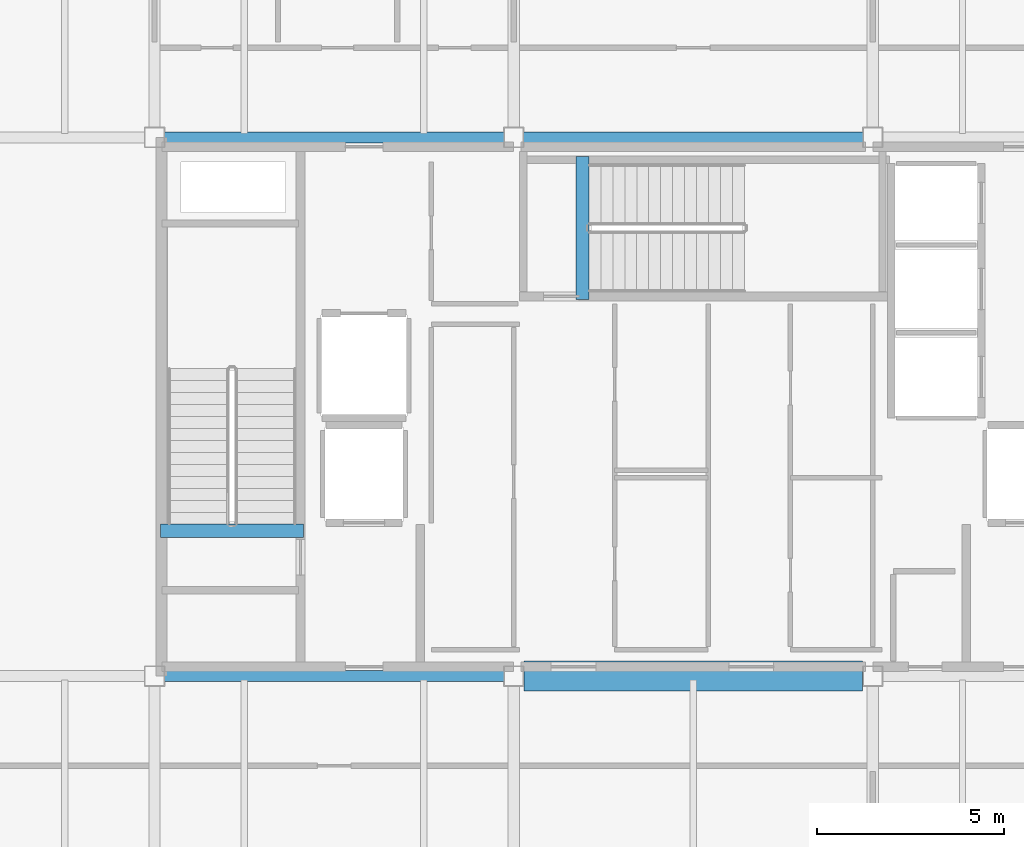
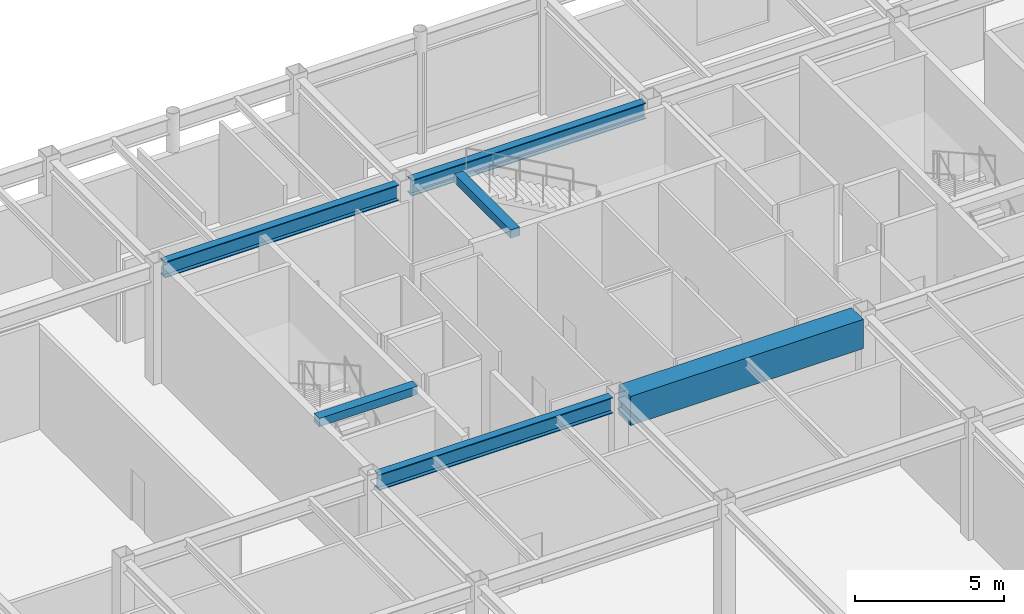
# One storey, part 8 of 21: 6 beams.
"""IFC4 building model written with IfcOpenShell, lengths in metres."""

from ifc_helpers import new_model, si_unit, direction, frame, origin, origin_2d, place, context, subcontext, project, spatial, rectangle, i_section, extrude, material, material_profile, profile_set, type_object, element, save


model = new_model("IFC4")

# Units and contexts
model_context = context("Model", 3, precision=1e-05, world=origin(), true_north=direction((0.0, 1.0)))
body_context = subcontext(model_context, "Body", "Model", "MODEL_VIEW")
ifc_project = project(units=[si_unit("LENGTHUNIT", "METRE"), si_unit("AREAUNIT", "SQUARE_METRE"), si_unit("VOLUMEUNIT", "CUBIC_METRE"), si_unit("PLANEANGLEUNIT", "RADIAN"), si_unit("MASSUNIT", "GRAM", prefix="KILO")], contexts=[model_context])

# Site, building, storey
site_placement = place(None, origin())
site = spatial("IfcSite", under=ifc_project, at=site_placement, CompositionType="ELEMENT")
building_placement = place(site_placement, origin())
building = spatial("IfcBuilding", under=site, at=building_placement, Name="Kallvorn Hotel Tower", CompositionType="ELEMENT")
storey_placement = place(building_placement, frame((0.0, 0.0, 295.60009765625)))
storey = spatial("IfcBuildingStorey", under=building, at=storey_placement, Name="L73", CompositionType="ELEMENT", Elevation=295.60009765625)

# Beams
ifc_material_1 = material(Name="Structural steel S355JR", Category="steel")
ifc_material_profile_1 = material_profile(ifc_material_1, i_section(OverallWidth=0.300048828125, OverallDepth=0.64990234375, WebThickness=0.01611328125, FlangeThickness=0.031005859375, at=origin_2d()), Name="HE 650 B")
ifc_profile_set_1 = profile_set([ifc_material_profile_1], Name="Structural steel S355JR")
beam_type_1 = type_object("IfcBeamType", Name="BM_HE650B", PredefinedType="BEAM", material=ifc_profile_set_1)
for number, where, z_axis, x_axis, name in (
    (1, (-14.14990234375, -7.199951171875, 4.474853515625), (1.0, 0.0, 0.0), (0.0, 1.0, 0.0), "L74 Primary X-Girder 08"),
    (2, (-14.14990234375, 7.199951171875, 4.474853515625), (1.0, 0.0, 0.0), (0.0, 1.0, 0.0), "L74 Primary X-Girder 12"),
):
    element("IfcBeam", number, at=place(storey_placement, frame(where, z_axis=z_axis, x_axis=x_axis)), inside=storey, type_object=beam_type_1, Name=name, PredefinedType="BEAM", context=body_context, shape_type="SweptSolid", body=[
        extrude(i_section(OverallWidth=0.300048828125, OverallDepth=0.64990234375, WebThickness=0.01611328125, FlangeThickness=0.031005859375, at=origin_2d()), origin(), (0.0, 0.0, 1.0), 9.099853515625),
    ])
beam_1_placement = place(storey_placement, frame((-4.550048828125, 7.199951171875, 4.474853515625), z_axis=(1.0, 0.0, 0.0), x_axis=(0.0, 1.0, 0.0)))
element("IfcBeam", 3, at=beam_1_placement, inside=storey, type_object=beam_type_1, Name="L74 Primary X-Girder 13", PredefinedType="BEAM", context=body_context, shape_type="SweptSolid", body=[
    extrude(i_section(OverallWidth=0.300048828125, OverallDepth=0.64990234375, WebThickness=0.01611328125, FlangeThickness=0.031005859375, at=origin_2d()), origin(), (0.0, 0.0, 1.0), 9.10009765625),
])
ifc_material_2 = material(Name="Concrete C50/60", Category="concrete")
ifc_material_profile_2 = material_profile(ifc_material_2, rectangle(XDim=0.360107421875, YDim=0.340087890625, at=origin_2d()), Name="RC 360x340")
ifc_profile_set_2 = profile_set([ifc_material_profile_2], Name="Concrete C50/60")
beam_type_2 = type_object("IfcBeamType", Name="BM_RC_400x360", PredefinedType="BEAM", material=ifc_profile_set_2)
beam_2_placement = place(storey_placement, frame((-10.419921875, -3.31005859375, 4.6298828125), z_axis=(-1.0, 0.0, 0.0), x_axis=(0.0, -1.0, 0.0)))
element("IfcBeam", 4, at=beam_2_placement, inside=storey, type_object=beam_type_2, Name="L74 Stair ST1 Arrival Trimmer Beam", PredefinedType="BEAM", context=body_context, shape_type="SweptSolid", body=[
    extrude(rectangle(XDim=0.360107421875, YDim=0.340087890625, at=origin_2d()), origin(), (0.0, 0.0, 1.0), 3.820068359375),
])
beam_3_placement = place(storey_placement, frame((-2.9599609375, 2.8701171875, 4.6298828125), z_axis=(0.0, 1.0, 0.0), x_axis=(-1.0, 0.0, 0.0)))
element("IfcBeam", 5, at=beam_3_placement, inside=storey, type_object=beam_type_2, Name="L74 Stair ST3 Arrival Trimmer Beam", PredefinedType="BEAM", context=body_context, shape_type="SweptSolid", body=[
    extrude(rectangle(XDim=0.360107421875, YDim=0.340087890625, at=origin_2d()), origin(), (0.0, 0.0, 1.0), 3.81982421875),
])
ifc_material_3 = material(Name="Concrete C50/60", Category="concrete")
ifc_material_profile_3 = material_profile(ifc_material_3, rectangle(XDim=0.800048828125, YDim=1.199951171875, at=origin_2d()), Name="RC 800x1200")
ifc_profile_set_3 = profile_set([ifc_material_profile_3], Name="Concrete C50/60")
beam_type_3 = type_object("IfcBeamType", Name="BM_RC_800x1200", PredefinedType="T_BEAM", material=ifc_profile_set_3)
beam_4_placement = place(storey_placement, frame((-4.52490234375, -7.199951171875, 4.199951171875), z_axis=(1.0, 0.0, 0.0), x_axis=(0.0, 1.0, 0.0)))
element("IfcBeam", 6, at=beam_4_placement, inside=storey, type_object=beam_type_3, Name="L73 Core Coupling Beam South", PredefinedType="T_BEAM", context=body_context, shape_type="SweptSolid", body=[
    extrude(rectangle(XDim=0.800048828125, YDim=1.199951171875, at=origin_2d()), origin(), (0.0, 0.0, 1.0), 9.0498046875),
])

save(model, "model.ifc")
